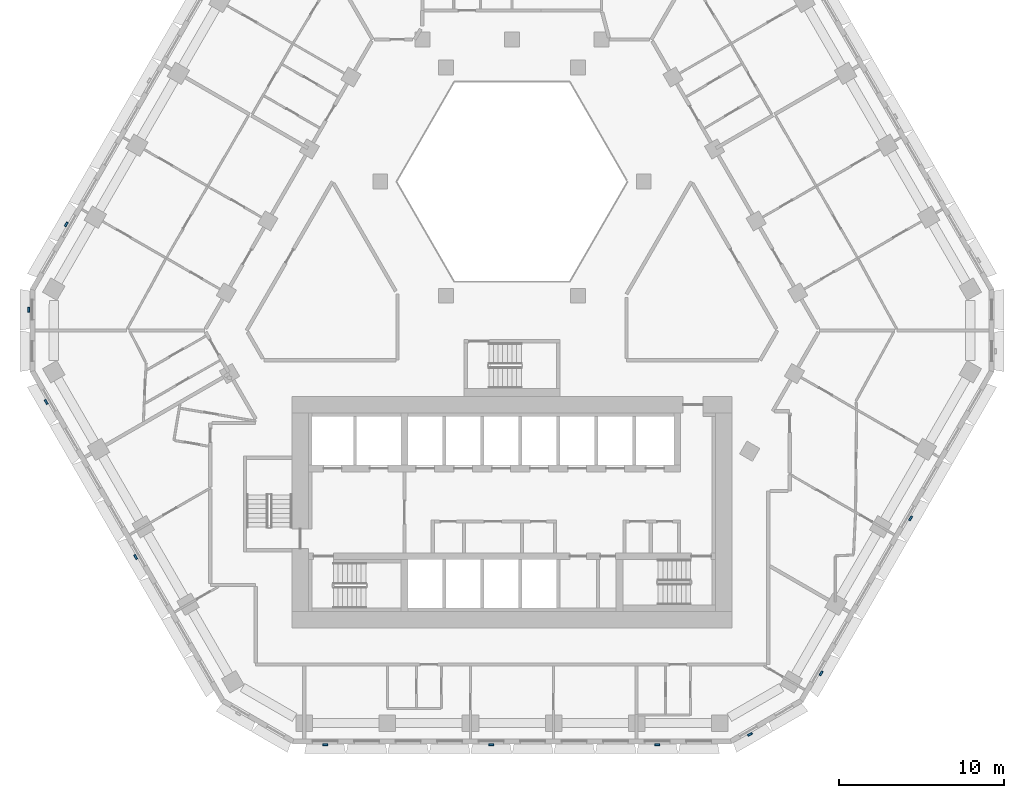
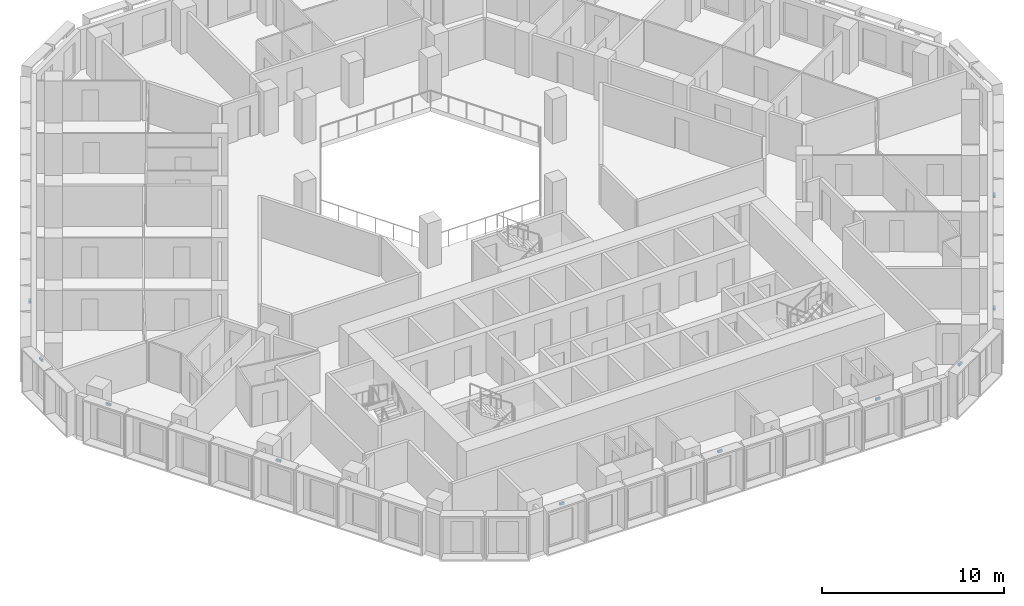
# One storey, part 11 of 18: 10 discrete accessories.
"""IFC4 building model written with IfcOpenShell, lengths in metres."""

from ifc_helpers import new_model, si_unit, direction, frame, origin, place, context, subcontext, project, spatial, polyline, outline, extrude, source, transform, mapped, material, type_object, type_shapes, element, save


model = new_model("IFC4")

# Units and contexts
model_context = context("Model", 3, precision=1e-05, world=origin(), true_north=direction((0.0, 1.0)))
body_context = subcontext(model_context, "Body", "Model", "MODEL_VIEW")
ifc_project = project(units=[si_unit("LENGTHUNIT", "METRE"), si_unit("AREAUNIT", "SQUARE_METRE"), si_unit("VOLUMEUNIT", "CUBIC_METRE"), si_unit("PLANEANGLEUNIT", "RADIAN"), si_unit("MASSUNIT", "GRAM", prefix="KILO")], contexts=[model_context])

# Site, building, storey
site_placement = place(None, origin())
site = spatial("IfcSite", under=ifc_project, at=site_placement, CompositionType="ELEMENT")
building_placement = place(site_placement, origin())
building = spatial("IfcBuilding", under=site, at=building_placement, Name="Beryl Residences", CompositionType="ELEMENT")
storey_placement = place(building_placement, frame((0.0, 0.0, 93.0)))
storey = spatial("IfcBuildingStorey", under=building, at=storey_placement, Name="L28", CompositionType="ELEMENT", Elevation=93.0)

# Discrete accessories
ifc_material = material(Name="Steel S355", Category="steel")
discrete_accessory_type = type_object("IfcDiscreteAccessoryType", Name="BR1 frame bracket 300 x 120 x 150 mm", PredefinedType="BRACKET", material=ifc_material)
shared_shape = source(origin(), body_context, "Body", "SweptSolid", [
    extrude(outline(polyline([(-0.14990234375, 0.0), (0.14990234375, 0.0), (0.14990234375, 0.1201171875), (-0.14990234375, 0.1201171875), (-0.14990234375, 0.0)])), origin(), (0.0, 0.0, 1.0), 0.14990234375),
])
type_shapes(discrete_accessory_type, [shared_shape])
for number, where, z_axis, x_axis, name in (
    (1, (-26.912109375, 5.387939453125, 2.75), (0.0, 0.0, 1.0), (0.5, 0.866025403784, 0.0), "BR1 bracket L28 NW 9"),
    (2, (-29.156982421875, 0.25, 2.75), (0.0, 0.0, 1.0), (0.0, 1.0, 0.0), "BR1 bracket L28 NW-SW 1"),
    (3, (-28.118896484375, -5.2958984375, 2.75), (0.0, 0.0, 1.0), (-0.5, 0.866025403784, 0.0), "BR1 bracket L28 SW 1"),
    (4, (-22.7060546875, -14.672119140625, 2.75), (0.0, 0.0, 1.0), (-0.5, 0.866025403784, 0.0), "BR1 bracket L28 SW 5"),
    (5, (-11.301025390625, -26.0, 2.75), (0.0, 0.0, 1.0), (-1.0, 0.0, 0.0), "BR1 bracket L28 S 1"),
    (6, (-1.2548828125, -26.0, 2.75), (0.0, 0.0, 1.0), (-1.0, 0.0, 0.0), "BR1 bracket L28 S 5"),
    (7, (8.791015625, -26.0, 2.75), (0.0, 0.0, 1.0), (-1.0, 0.0, 0.0), "BR1 bracket L28 S 9"),
    (8, (14.361083984375, -25.375, 2.75), (0.0, 0.0, 1.0), (-0.866025403784, -0.5, 0.0), "BR1 bracket L28 S-SE 1"),
    (9, (18.64697265625, -21.7041015625, 2.75), (0.0, 0.0, 1.0), (-0.5, -0.866025403784, 0.0), "BR1 bracket L28 SE 1"),
    (10, (24.06005859375, -12.327880859375, 2.75), (0.0, 0.0, 1.0), (-0.5, -0.866025403784, 0.0), "BR1 bracket L28 SE 5"),
):
    element("IfcDiscreteAccessory", number, at=place(storey_placement, frame(where, z_axis=z_axis, x_axis=x_axis)), inside=storey, type_object=discrete_accessory_type, Name=name, PredefinedType="BRACKET", context=body_context, shape_type="MappedRepresentation", body=[
        mapped(shared_shape, transform((0.0, 0.0, 0.0))),
    ])

save(model, "model.ifc")
